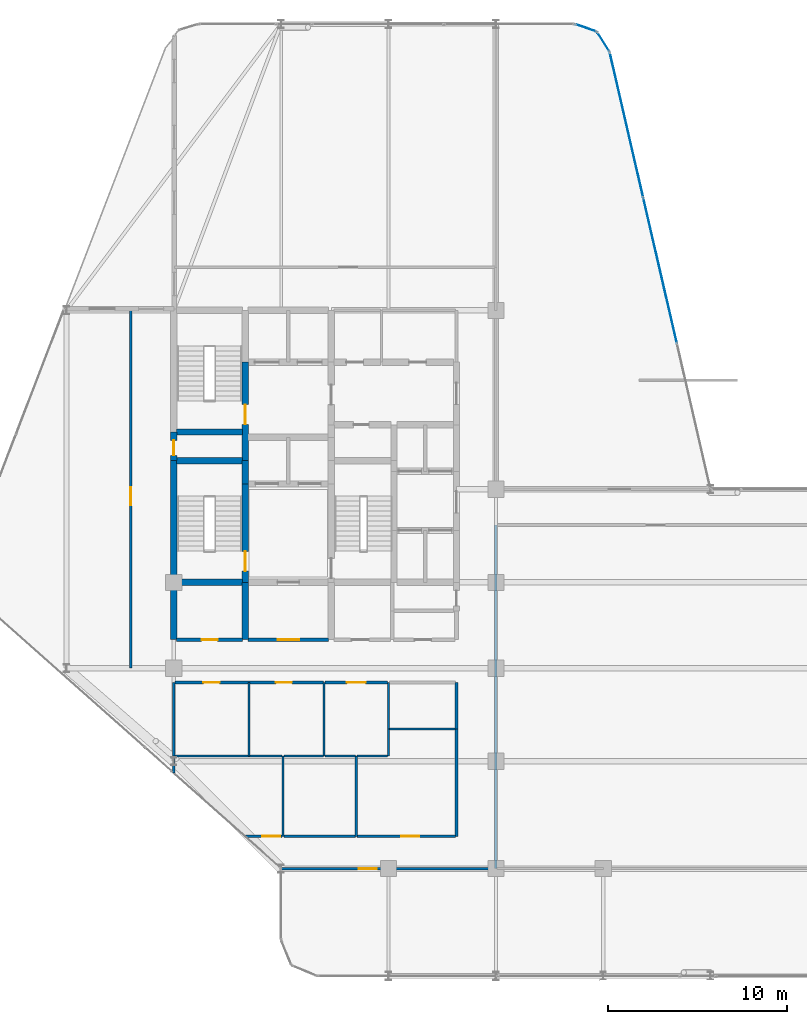
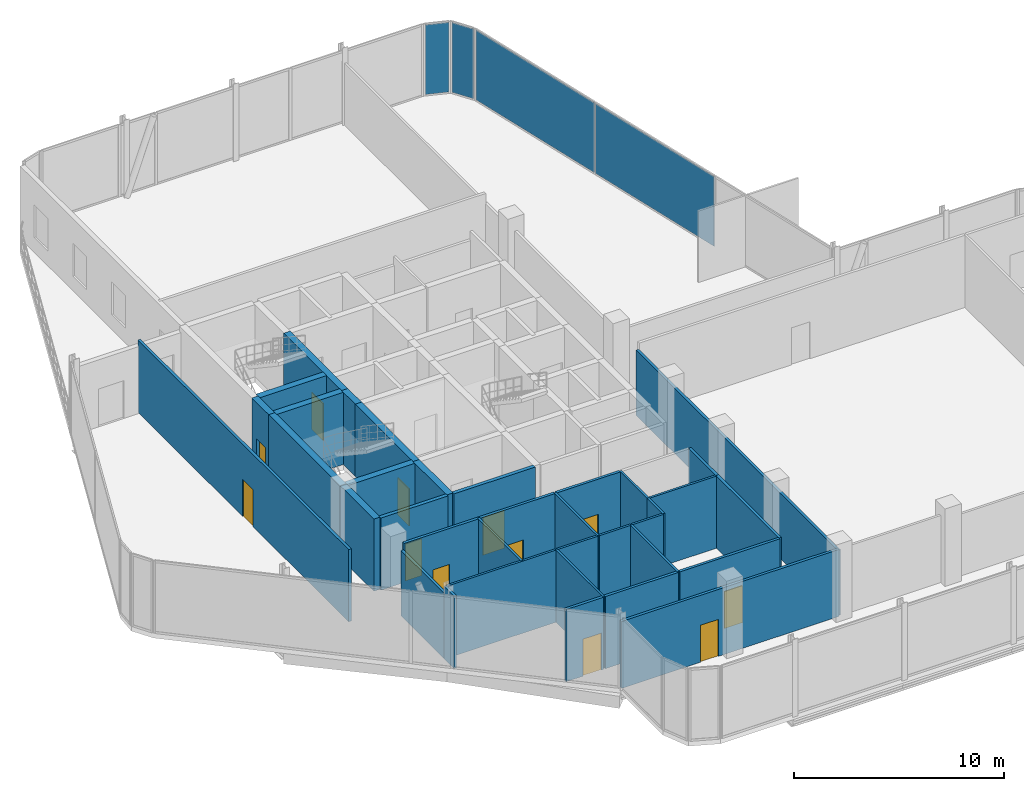
# One storey, part 27 of 31: 35 walls, 12 doors, 4 plates, 12 openings, 3 elements without a shape of their own.
"""IFC4 building model written with IfcOpenShell, lengths in metres."""

from ifc_helpers import new_model, si_unit, direction, frame, frame_2d, origin, origin_2d, place, context, subcontext, project, spatial, rectangle, extrude, material, layer, layer_set, type_object, element, fill, aggregate, save


model = new_model("IFC4")

# Units and contexts
model_context = context("Model", 3, precision=1e-05, world=origin(), true_north=direction((0.0, 1.0)))
body_context = subcontext(model_context, "Body", "Model", "MODEL_VIEW")
ifc_project = project(units=[si_unit("LENGTHUNIT", "METRE"), si_unit("AREAUNIT", "SQUARE_METRE"), si_unit("VOLUMEUNIT", "CUBIC_METRE"), si_unit("PLANEANGLEUNIT", "RADIAN"), si_unit("MASSUNIT", "GRAM", prefix="KILO")], contexts=[model_context])

# Site, building, storey
site_placement = place(None, origin())
site = spatial("IfcSite", under=ifc_project, at=site_placement, CompositionType="ELEMENT")
building_placement = place(site_placement, origin())
building = spatial("IfcBuilding", under=site, at=building_placement, Name="Keshet Zoharim Tower", CompositionType="ELEMENT")
storey_placement = place(building_placement, frame((0.0, 0.0, 183.89990234375)))
storey = spatial("IfcBuildingStorey", under=building, at=storey_placement, Name="L45", CompositionType="ELEMENT", Elevation=183.89990234375)

# Curtain wall, plate
ifc_material_1 = material(Name="Aluminium 6063-T6", Category="aluminium")
ifc_layer_1 = layer(ifc_material_1, 0.139892578125)
ifc_layer_set_1 = layer_set([ifc_layer_1], Name="Aluminium 6063-T6")
curtain_wall_type = type_object("IfcCurtainWallType", Name="CW-SYS-05", PredefinedType="NOTDEFINED", material=ifc_layer_set_1)
curtain_wall_1_placement = place(storey_placement, origin())
curtain_wall_1 = element("IfcCurtainWall", 1, at=curtain_wall_1_placement, inside=storey, type_object=curtain_wall_type, Name="L45 Unitised Curtain Wall 02", PredefinedType="NOTDEFINED")
ifc_material_2 = material(Name="Insulated Low-E Clear Glass", Category="glass")
ifc_layer_2 = layer(ifc_material_2, 0.031982421875)
ifc_layer_set_2 = layer_set([ifc_layer_2], Name="Insulated Low-E Clear Glass")
plate_type = type_object("IfcPlateType", Name="CWP-02", PredefinedType="CURTAIN_PANEL", material=ifc_layer_set_2)
plate_1_placement = place(storey_placement, frame((38.031494140625, 53.6826171875, 0.0703125), z_axis=(0.0, 0.0, 1.0), x_axis=(0.944035542119, -0.329843743636, 0.0)))
plate_1 = element("IfcPlate", 2, at=plate_1_placement, type_object=plate_type, Name="CW-05 panel 1.1", PredefinedType="CURTAIN_PANEL", context=body_context, shape_type="SweptSolid", body=[
    extrude(rectangle(XDim=1.1787109375, YDim=0.031982421875, at=origin_2d()), origin(), (0.0, 0.0, 1.0), 4.050048828125),
])
aggregate(curtain_wall_1, [plate_1])

curtain_wall_2_placement = place(storey_placement, origin())
curtain_wall_2 = element("IfcCurtainWall", 3, at=curtain_wall_2_placement, inside=storey, type_object=curtain_wall_type, Name="L45 Unitised Curtain Wall 03", PredefinedType="NOTDEFINED")
plate_2_placement = place(storey_placement, frame((39.006103515625, 52.907470703125, 0.0703125), z_axis=(0.0, 0.0, 1.0), x_axis=(0.533878858502, -0.845560976183, 0.0)))
plate_2 = element("IfcPlate", 4, at=plate_2_placement, type_object=plate_type, Name="CW-05 panel 1.1", PredefinedType="CURTAIN_PANEL", context=body_context, shape_type="SweptSolid", body=[
    extrude(rectangle(XDim=1.1787109375, YDim=0.031982421875, at=origin_2d()), origin(), (0.0, 0.0, 1.0), 4.050048828125),
])
aggregate(curtain_wall_2, [plate_2])

# Curtain wall, plates
curtain_wall_3_placement = place(storey_placement, origin())
curtain_wall_3 = element("IfcCurtainWall", 5, at=curtain_wall_3_placement, inside=storey, type_object=curtain_wall_type, Name="L45 Unitised Curtain Wall 04", PredefinedType="NOTDEFINED")
plate_3_placement = place(storey_placement, frame((40.30224609375, 48.258056640625, 0.0703125), z_axis=(0.0, 0.0, 1.0), x_axis=(0.224847864369, -0.974393882313, 0.0)))
plate_3 = element("IfcPlate", 6, at=plate_3_placement, type_object=plate_type, Name="CW-05 panel 1.1", PredefinedType="CURTAIN_PANEL", context=body_context, shape_type="SweptSolid", body=[
    extrude(rectangle(XDim=8.25927734375, YDim=0.031982421875, at=origin_2d()), origin(), (0.0, 0.0, 1.0), 4.050048828125),
])
plate_4_placement = place(storey_placement, frame((42.178955078125, 40.125, 0.0703125), z_axis=(0.0, 0.0, 1.0), x_axis=(0.224847864369, -0.974393882313, 0.0)))
plate_4 = element("IfcPlate", 7, at=plate_4_placement, type_object=plate_type, Name="CW-05 panel 2.1", PredefinedType="CURTAIN_PANEL", context=body_context, shape_type="SweptSolid", body=[
    extrude(rectangle(XDim=8.294189453125, YDim=0.031982421875, at=origin_2d()), origin(), (0.0, 0.0, 1.0), 4.050048828125),
])
aggregate(curtain_wall_3, [plate_3, plate_4])

# Wall, opening, door
ifc_material_3 = material(Name="Gypsum Plasterboard", Category="gypsum")
ifc_layer_3 = layer(ifc_material_3, 0.14990234375)
ifc_layer_set_3 = layer_set([ifc_layer_3], Name="Gypsum Plasterboard")
wall_type_1 = type_object("IfcWallType", Name="WL-CLIN-150", PredefinedType="STANDARD", material=ifc_layer_set_3)
wall_1_placement = place(storey_placement, frame((12.60009765625, 17.89990234375, 0.0), z_axis=(0.0, 0.0, 1.0), x_axis=(0.0, 1.0, 0.0)))
wall_1 = element("IfcWall", 8, at=wall_1_placement, inside=storey, type_object=wall_type_1, Name="L45 Interior Wall 001", PredefinedType="STANDARD", context=body_context, shape_type="SweptSolid", body=[
    extrude(rectangle(XDim=20.070068359375, YDim=0.14990234375, at=frame_2d((10.03515625, 0.0))), origin(), (0.0, 0.0, 1.0), 4.190185546875),
])
opening_1_placement = place(wall_1_placement, frame((9.10009765625, 0.0, 0.0)))
opening_1 = element("IfcOpeningElement", 9, at=opening_1_placement, cuts=wall_1, Name="Opening D-F310", PredefinedType="OPENING", context=body_context, shape_type="SweptSolid", body=[
    extrude(rectangle(XDim=1.0, YDim=2.14990234375, at=frame_2d((0.5, 1.074951171875))), frame((0.0, 0.0849609375, 0.0), z_axis=(0.0, -1.0, 0.0), x_axis=(1.0, 0.0, 0.0)), (0.0, 0.0, 1.0), 0.169921875),
])
ifc_material_4 = material(Name="Hardwood Timber", Category="wood")
door_type_1 = type_object("IfcDoorType", Name="DR-FD30-100", OperationType="NOTDEFINED", PredefinedType="DOOR", material=ifc_material_4)
door_1_placement = place(opening_1_placement, origin())
door_1 = element("IfcDoor", 10, at=door_1_placement, inside=storey, type_object=door_type_1, Name="L45 Children Playroom Door", OperationType="SINGLE_SWING_RIGHT", OverallHeight=2.14990234375, OverallWidth=1.0, PredefinedType="DOOR", context=body_context, shape_type="SweptSolid", body=[
    extrude(rectangle(XDim=1.0, YDim=2.14990234375, at=frame_2d((0.5, 1.074951171875))), frame((0.0, 0.02490234375, 0.0), z_axis=(0.0, -1.0, 0.0), x_axis=(1.0, 0.0, 0.0)), (0.0, 0.0, 1.0), 0.050048828125),
])
fill(opening_1, door_1)

# Walls
wall_2_placement = place(storey_placement, frame((15.0, 12.04296875, 0.0), z_axis=(0.0, 0.0, 1.0), x_axis=(0.0, 1.0, 0.0)))
element("IfcWall", 11, at=wall_2_placement, inside=storey, type_object=wall_type_1, Name="L45 Interior Wall 002", PredefinedType="STANDARD", context=body_context, shape_type="SweptSolid", body=[
    extrude(rectangle(XDim=0.95703125, YDim=0.14990234375, at=frame_2d((0.478515625, 0.0))), origin(), (0.0, 0.0, 1.0), 4.190185546875),
])
wall_3_placement = place(storey_placement, frame((15.0, 13.0, 0.0), z_axis=(0.0, 0.0, 1.0), x_axis=(0.0, 1.0, 0.0)))
element("IfcWall", 12, at=wall_3_placement, inside=storey, type_object=wall_type_1, Name="L45 Interior Wall 003", PredefinedType="STANDARD", context=body_context, shape_type="SweptSolid", body=[
    extrude(rectangle(XDim=4.10009765625, YDim=0.14990234375, at=frame_2d((2.050048828125, 0.0))), origin(), (0.0, 0.0, 1.0), 3.7900390625),
])
wall_4_placement = place(storey_placement, frame((30.800048828125, 8.5, 0.0), z_axis=(0.0, 0.0, 1.0), x_axis=(0.0, 1.0, 0.0)))
element("IfcWall", 13, at=wall_4_placement, inside=storey, type_object=wall_type_1, Name="L45 Interior Wall 037", PredefinedType="STANDARD", context=body_context, shape_type="SweptSolid", body=[
    extrude(rectangle(XDim=6.0, YDim=0.14990234375, at=frame_2d((3.0, 0.0))), origin(), (0.0, 0.0, 1.0), 4.190185546875),
])
wall_5_placement = place(storey_placement, frame((30.800048828125, 14.5, 0.0), z_axis=(0.0, 0.0, 1.0), x_axis=(0.0, 1.0, 0.0)))
element("IfcWall", 14, at=wall_5_placement, inside=storey, type_object=wall_type_1, Name="L45 Interior Wall 038", PredefinedType="STANDARD", context=body_context, shape_type="SweptSolid", body=[
    extrude(rectangle(XDim=2.60009765625, YDim=0.14990234375, at=frame_2d((1.300048828125, 0.0))), origin(), (0.0, 0.0, 1.0), 4.190185546875),
])
wall_6_placement = place(storey_placement, frame((33.0, 6.699951171875, 0.0), z_axis=(0.0, 0.0, 1.0), x_axis=(0.0, 1.0, 0.0)))
element("IfcWall", 15, at=wall_6_placement, inside=storey, type_object=wall_type_1, Name="L45 Interior Wall 046", PredefinedType="STANDARD", context=body_context, shape_type="SweptSolid", body=[
    extrude(rectangle(XDim=19.199951171875, YDim=0.14990234375, at=frame_2d((9.60009765625, 0.0))), origin(), (0.0, 0.0, 1.0), 3.7900390625),
])

# Wall, opening, door
wall_7_placement = place(storey_placement, frame((21.010009765625, 6.699951171875, 0.0), z_axis=(0.0, 0.0, 1.0), x_axis=(1.0, 0.0, 0.0)))
wall_7 = element("IfcWall", 16, at=wall_7_placement, inside=storey, type_object=wall_type_1, Name="L45 Interior Wall 050", PredefinedType="STANDARD", context=body_context, shape_type="SweptSolid", body=[
    extrude(rectangle(XDim=11.929931640625, YDim=0.14990234375, at=frame_2d((5.96484375, 0.0))), origin(), (0.0, 0.0, 1.0), 3.89013671875),
])
opening_2_placement = place(wall_7_placement, frame((4.324951171875, 0.0, 0.0)))
opening_2 = element("IfcOpeningElement", 17, at=opening_2_placement, cuts=wall_7, Name="Opening D-F310", PredefinedType="OPENING", context=body_context, shape_type="SweptSolid", body=[
    extrude(rectangle(XDim=1.0, YDim=2.14990234375, at=frame_2d((0.5, 1.074951171875))), frame((0.0, 0.0849609375, 0.0), z_axis=(0.0, -1.0, 0.0), x_axis=(1.0, 0.0, 0.0)), (0.0, 0.0, 1.0), 0.169921875),
])
door_2_placement = place(opening_2_placement, origin())
door_2 = element("IfcDoor", 18, at=door_2_placement, inside=storey, type_object=door_type_1, Name="L45 South Sun Conservatory Door", OperationType="SINGLE_SWING_LEFT", OverallHeight=2.14990234375, OverallWidth=1.0, PredefinedType="DOOR", context=body_context, shape_type="SweptSolid", body=[
    extrude(rectangle(XDim=1.0, YDim=2.14990234375, at=frame_2d((0.5, 1.074951171875))), frame((0.0, 0.02490234375, 0.0), z_axis=(0.0, -1.0, 0.0), x_axis=(1.0, 0.0, 0.0)), (0.0, 0.0, 1.0), 0.050048828125),
])
fill(opening_2, door_2)

wall_8_placement = place(storey_placement, frame((18.985107421875, 8.5, 0.0), z_axis=(0.0, 0.0, 1.0), x_axis=(1.0, 0.0, 0.0)))
wall_8 = element("IfcWall", 19, at=wall_8_placement, inside=storey, type_object=wall_type_1, Name="L45 Interior Wall 053", PredefinedType="STANDARD", context=body_context, shape_type="SweptSolid", body=[
    extrude(rectangle(XDim=2.06982421875, YDim=0.14990234375, at=frame_2d((1.034912109375, 0.0))), origin(), (0.0, 0.0, 1.0), 4.190185546875),
])
opening_3_placement = place(wall_8_placement, frame((0.949951171875, 0.0, 0.0)))
opening_3 = element("IfcOpeningElement", 20, at=opening_3_placement, cuts=wall_8, Name="Opening D-F310", PredefinedType="OPENING", context=body_context, shape_type="SweptSolid", body=[
    extrude(rectangle(XDim=1.0, YDim=2.14990234375, at=frame_2d((0.5, 1.074951171875))), frame((0.0, 0.0849609375, 0.0), z_axis=(0.0, -1.0, 0.0), x_axis=(1.0, 0.0, 0.0)), (0.0, 0.0, 1.0), 0.169921875),
])
door_3_placement = place(opening_3_placement, origin())
door_3 = element("IfcDoor", 21, at=door_3_placement, inside=storey, type_object=door_type_1, Name="L45 Residents Laundry Room Door", OperationType="SINGLE_SWING_RIGHT", OverallHeight=2.14990234375, OverallWidth=1.0, PredefinedType="DOOR", context=body_context, shape_type="SweptSolid", body=[
    extrude(rectangle(XDim=1.0, YDim=2.14990234375, at=frame_2d((0.5, 1.074951171875))), frame((0.0, 0.02490234375, 0.0), z_axis=(0.0, -1.0, 0.0), x_axis=(1.0, 0.0, 0.0)), (0.0, 0.0, 1.0), 0.050048828125),
])
fill(opening_3, door_3)

# Wall
wall_9_placement = place(storey_placement, frame((21.14501953125, 8.5, 0.0), z_axis=(0.0, 0.0, 1.0), x_axis=(1.0, 0.0, 0.0)))
element("IfcWall", 22, at=wall_9_placement, inside=storey, type_object=wall_type_1, Name="L45 Interior Wall 054", PredefinedType="STANDARD", context=body_context, shape_type="SweptSolid", body=[
    extrude(rectangle(XDim=4.010009765625, YDim=0.14990234375, at=frame_2d((2.0048828125, 0.0))), origin(), (0.0, 0.0, 1.0), 4.190185546875),
])

# Wall, opening, door
wall_10_placement = place(storey_placement, frame((25.2451171875, 8.5, 0.0), z_axis=(0.0, 0.0, 1.0), x_axis=(1.0, 0.0, 0.0)))
wall_10 = element("IfcWall", 23, at=wall_10_placement, inside=storey, type_object=wall_type_1, Name="L45 Interior Wall 055", PredefinedType="STANDARD", context=body_context, shape_type="SweptSolid", body=[
    extrude(rectangle(XDim=5.494873046875, YDim=0.14990234375, at=frame_2d((2.74755859375, 0.0))), origin(), (0.0, 0.0, 1.0), 4.190185546875),
])
opening_4_placement = place(wall_10_placement, frame((2.468994140625, 0.0, 0.0)))
opening_4 = element("IfcOpeningElement", 24, at=opening_4_placement, cuts=wall_10, Name="Opening D-F310", PredefinedType="OPENING", context=body_context, shape_type="SweptSolid", body=[
    extrude(rectangle(XDim=1.0, YDim=2.14990234375, at=frame_2d((0.5, 1.074951171875))), frame((0.0, 0.0849609375, 0.0), z_axis=(0.0, -1.0, 0.0), x_axis=(1.0, 0.0, 0.0)), (0.0, 0.0, 1.0), 0.169921875),
])
door_4_placement = place(opening_4_placement, origin())
door_4 = element("IfcDoor", 25, at=door_4_placement, inside=storey, type_object=door_type_1, Name="L45 Shared Residents Kitchen Door", OperationType="SINGLE_SWING_LEFT", OverallHeight=2.14990234375, OverallWidth=1.0, PredefinedType="DOOR", context=body_context, shape_type="SweptSolid", body=[
    extrude(rectangle(XDim=1.0, YDim=2.14990234375, at=frame_2d((0.5, 1.074951171875))), frame((0.0, 0.02490234375, 0.0), z_axis=(0.0, -1.0, 0.0), x_axis=(1.0, 0.0, 0.0)), (0.0, 0.0, 1.0), 0.050048828125),
])
fill(opening_4, door_4)

# Wall, openings, doors
wall_11_placement = place(storey_placement, frame((15.06005859375, 17.10009765625, 0.0), z_axis=(0.0, 0.0, 1.0), x_axis=(1.0, 0.0, 0.0)))
wall_11 = element("IfcWall", 26, at=wall_11_placement, inside=storey, type_object=wall_type_1, Name="L45 Interior Wall 061", PredefinedType="STANDARD", context=body_context, shape_type="SweptSolid", body=[
    extrude(rectangle(XDim=8.294921875, YDim=0.14990234375, at=frame_2d((4.1474609375, 0.0))), origin(), (0.0, 0.0, 1.0), 4.190185546875),
])
opening_5_placement = place(wall_11_placement, frame((1.594970703125, 0.0, 0.0)))
opening_5 = element("IfcOpeningElement", 27, at=opening_5_placement, cuts=wall_11, Name="Opening D-WT90", PredefinedType="OPENING", context=body_context, shape_type="SweptSolid", body=[
    extrude(rectangle(XDim=0.89990234375, YDim=2.10009765625, at=frame_2d((0.449951171875, 1.050048828125))), frame((0.0, 0.0849609375, 0.0), z_axis=(0.0, -1.0, 0.0), x_axis=(1.0, 0.0, 0.0)), (0.0, 0.0, 1.0), 0.169921875),
])
opening_6_placement = place(wall_11_placement, frame((5.64501953125, 0.0, 0.0)))
opening_6 = element("IfcOpeningElement", 28, at=opening_6_placement, cuts=wall_11, Name="Opening D-WT90", PredefinedType="OPENING", context=body_context, shape_type="SweptSolid", body=[
    extrude(rectangle(XDim=0.89990234375, YDim=2.10009765625, at=frame_2d((0.449951171875, 1.050048828125))), frame((0.0, 0.0849609375, 0.0), z_axis=(0.0, -1.0, 0.0), x_axis=(1.0, 0.0, 0.0)), (0.0, 0.0, 1.0), 0.169921875),
])
door_type_2 = type_object("IfcDoorType", Name="DR-WET-090", OperationType="NOTDEFINED", PredefinedType="DOOR", material=ifc_material_4)
door_5_placement = place(opening_5_placement, origin())
door_5 = element("IfcDoor", 29, at=door_5_placement, inside=storey, type_object=door_type_2, Name="L45 Public WCM Door", OperationType="SINGLE_SWING_RIGHT", OverallHeight=2.10009765625, OverallWidth=0.89990234375, PredefinedType="DOOR", context=body_context, shape_type="SweptSolid", body=[
    extrude(rectangle(XDim=0.89990234375, YDim=2.10009765625, at=frame_2d((0.449951171875, 1.050048828125))), frame((0.0, 0.02490234375, 0.0), z_axis=(0.0, -1.0, 0.0), x_axis=(1.0, 0.0, 0.0)), (0.0, 0.0, 1.0), 0.050048828125),
])
fill(opening_5, door_5)
door_6_placement = place(opening_6_placement, origin())
door_6 = element("IfcDoor", 30, at=door_6_placement, inside=storey, type_object=door_type_2, Name="L45 Public WCF Door", OperationType="SINGLE_SWING_LEFT", OverallHeight=2.10009765625, OverallWidth=0.89990234375, PredefinedType="DOOR", context=body_context, shape_type="SweptSolid", body=[
    extrude(rectangle(XDim=0.89990234375, YDim=2.10009765625, at=frame_2d((0.449951171875, 1.050048828125))), frame((0.0, 0.02490234375, 0.0), z_axis=(0.0, -1.0, 0.0), x_axis=(1.0, 0.0, 0.0)), (0.0, 0.0, 1.0), 0.050048828125),
])
fill(opening_6, door_6)

# Wall, opening, door
wall_12_placement = place(storey_placement, frame((23.445068359375, 17.10009765625, 0.0), z_axis=(0.0, 0.0, 1.0), x_axis=(1.0, 0.0, 0.0)))
wall_12 = element("IfcWall", 31, at=wall_12_placement, inside=storey, type_object=wall_type_1, Name="L45 Interior Wall 062", PredefinedType="STANDARD", context=body_context, shape_type="SweptSolid", body=[
    extrude(rectangle(XDim=3.510009765625, YDim=0.14990234375, at=frame_2d((1.7548828125, 0.0))), origin(), (0.0, 0.0, 1.0), 4.190185546875),
])
opening_7_placement = place(wall_12_placement, frame((1.22998046875, 0.0, 0.0)))
opening_7 = element("IfcOpeningElement", 32, at=opening_7_placement, cuts=wall_12, Name="Opening D-AC10", PredefinedType="OPENING", context=body_context, shape_type="SweptSolid", body=[
    extrude(rectangle(XDim=1.050048828125, YDim=2.14990234375, at=frame_2d((0.52490234375, 1.074951171875))), frame((0.0, 0.0849609375, 0.0), z_axis=(0.0, -1.0, 0.0), x_axis=(1.0, 0.0, 0.0)), (0.0, 0.0, 1.0), 0.169921875),
])
door_type_3 = type_object("IfcDoorType", Name="DR-ACC-105", OperationType="NOTDEFINED", PredefinedType="DOOR", material=ifc_material_4)
door_7_placement = place(opening_7_placement, origin())
door_7 = element("IfcDoor", 33, at=door_7_placement, inside=storey, type_object=door_type_3, Name="L45 Public WCA Door", OperationType="SINGLE_SWING_RIGHT", OverallHeight=2.14990234375, OverallWidth=1.050048828125, PredefinedType="DOOR", context=body_context, shape_type="SweptSolid", body=[
    extrude(rectangle(XDim=1.050048828125, YDim=2.14990234375, at=frame_2d((0.52490234375, 1.074951171875))), frame((0.0, 0.02490234375, 0.0), z_axis=(0.0, -1.0, 0.0), x_axis=(1.0, 0.0, 0.0)), (0.0, 0.0, 1.0), 0.050048828125),
])
fill(opening_7, door_7)

# Walls
ifc_material_5 = material(Name="Concrete C60/75", Category="concrete")
ifc_layer_4 = layer(ifc_material_5, 0.35009765625)
ifc_layer_set_4 = layer_set([ifc_layer_4], Name="Concrete C60/75")
wall_type_2 = type_object("IfcWallType", Name="WL-CORE-350", PredefinedType="SHEAR", material=ifc_layer_set_4)
wall_13_placement = place(storey_placement, frame((15.0, 19.5, 0.0), z_axis=(0.0, 0.0, 1.0), x_axis=(0.0, 1.0, 0.0)))
element("IfcWall", 34, at=wall_13_placement, inside=storey, type_object=wall_type_2, Name="L45 Core Shear Wall 004", PredefinedType="SHEAR", context=body_context, shape_type="SweptSolid", body=[
    extrude(rectangle(XDim=3.199951171875, YDim=0.35009765625, at=frame_2d((1.60009765625, 0.0))), origin(), (0.0, 0.0, 1.0), 4.190185546875),
])
wall_14_placement = place(storey_placement, frame((15.0, 22.699951171875, 0.0), z_axis=(0.0, 0.0, 1.0), x_axis=(0.0, 1.0, 0.0)))
element("IfcWall", 35, at=wall_14_placement, inside=storey, type_object=wall_type_2, Name="L45 Core Shear Wall 005", PredefinedType="SHEAR", context=body_context, shape_type="SweptSolid", body=[
    extrude(rectangle(XDim=6.800048828125, YDim=0.35009765625, at=frame_2d((3.39990234375, 0.0))), origin(), (0.0, 0.0, 1.0), 4.190185546875),
])

# Wall, opening, door
wall_15_placement = place(storey_placement, frame((15.0, 29.5, 0.0), z_axis=(0.0, 0.0, 1.0), x_axis=(0.0, 1.0, 0.0)))
wall_15 = element("IfcWall", 36, at=wall_15_placement, inside=storey, type_object=wall_type_2, Name="L45 Core Shear Wall 006", PredefinedType="SHEAR", context=body_context, shape_type="SweptSolid", body=[
    extrude(rectangle(XDim=1.60009765625, YDim=0.35009765625, at=frame_2d((0.800048828125, 0.0))), origin(), (0.0, 0.0, 1.0), 4.190185546875),
])
opening_8_placement = place(wall_15_placement, frame((0.287109375, 0.0, 0.0)))
opening_8 = element("IfcOpeningElement", 37, at=opening_8_placement, cuts=wall_15, Name="Opening D-RS85", PredefinedType="OPENING", context=body_context, shape_type="SweptSolid", body=[
    extrude(rectangle(XDim=0.85009765625, YDim=2.10009765625, at=frame_2d((0.425048828125, 1.050048828125))), frame((0.0, 0.18505859375, 0.0), z_axis=(0.0, -1.0, 0.0), x_axis=(1.0, 0.0, 0.0)), (0.0, 0.0, 1.0), 0.3701171875),
])
door_type_4 = type_object("IfcDoorType", Name="DR-RIS-085", OperationType="NOTDEFINED", PredefinedType="DOOR", material=ifc_material_4)
door_8_placement = place(opening_8_placement, origin())
door_8 = element("IfcDoor", 38, at=door_8_placement, inside=storey, type_object=door_type_4, Name="L45 Electrical Riser Access Cupboard Door", OperationType="SINGLE_SWING_LEFT", OverallHeight=2.10009765625, OverallWidth=0.85009765625, PredefinedType="DOOR", context=body_context, shape_type="SweptSolid", body=[
    extrude(rectangle(XDim=0.85009765625, YDim=2.10009765625, at=frame_2d((0.425048828125, 1.050048828125))), frame((0.0, 0.02490234375, 0.0), z_axis=(0.0, -1.0, 0.0), x_axis=(1.0, 0.0, 0.0)), (0.0, 0.0, 1.0), 0.050048828125),
])
fill(opening_8, door_8)

# Wall
wall_16_placement = place(storey_placement, frame((19.0, 19.5, 0.0), z_axis=(0.0, 0.0, 1.0), x_axis=(0.0, 1.0, 0.0)))
element("IfcWall", 39, at=wall_16_placement, inside=storey, type_object=wall_type_2, Name="L45 Core Shear Wall 008", PredefinedType="SHEAR", context=body_context, shape_type="SweptSolid", body=[
    extrude(rectangle(XDim=3.199951171875, YDim=0.35009765625, at=frame_2d((1.60009765625, 0.0))), origin(), (0.0, 0.0, 1.0), 4.190185546875),
])

# Wall, opening, door
wall_17_placement = place(storey_placement, frame((19.0, 22.699951171875, 0.0), z_axis=(0.0, 0.0, 1.0), x_axis=(0.0, 1.0, 0.0)))
wall_17 = element("IfcWall", 40, at=wall_17_placement, inside=storey, type_object=wall_type_2, Name="L45 Core Shear Wall 009", PredefinedType="SHEAR", context=body_context, shape_type="SweptSolid", body=[
    extrude(rectangle(XDim=5.5, YDim=0.35009765625, at=frame_2d((2.75, 0.0))), origin(), (0.0, 0.0, 1.0), 4.190185546875),
])
opening_9_placement = place(wall_17_placement, frame((0.631103515625, 0.0, 0.0)))
opening_9 = element("IfcOpeningElement", 41, at=opening_9_placement, cuts=wall_17, Name="Opening D-F611", PredefinedType="OPENING", context=body_context, shape_type="SweptSolid", body=[
    extrude(rectangle(XDim=1.10009765625, YDim=2.14990234375, at=frame_2d((0.550048828125, 1.074951171875))), frame((0.0, 0.18505859375, 0.0), z_axis=(0.0, -1.0, 0.0), x_axis=(1.0, 0.0, 0.0)), (0.0, 0.0, 1.0), 0.3701171875),
])
door_type_5 = type_object("IfcDoorType", Name="DR-FD60-110", OperationType="NOTDEFINED", PredefinedType="DOOR", material=ifc_material_4)
door_9_placement = place(opening_9_placement, origin())
door_9 = element("IfcDoor", 42, at=door_9_placement, inside=storey, type_object=door_type_5, Name="L45 Exit Stair ST-01 Fire Door", OperationType="SINGLE_SWING_RIGHT", OverallHeight=2.14990234375, OverallWidth=1.10009765625, PredefinedType="DOOR", context=body_context, shape_type="SweptSolid", body=[
    extrude(rectangle(XDim=1.10009765625, YDim=2.14990234375, at=frame_2d((0.550048828125, 1.074951171875))), frame((0.0, 0.02490234375, 0.0), z_axis=(0.0, -1.0, 0.0), x_axis=(1.0, 0.0, 0.0)), (0.0, 0.0, 1.0), 0.050048828125),
])
fill(opening_9, door_9)

# Wall
wall_18_placement = place(storey_placement, frame((19.0, 28.199951171875, 0.0), z_axis=(0.0, 0.0, 1.0), x_axis=(0.0, 1.0, 0.0)))
element("IfcWall", 43, at=wall_18_placement, inside=storey, type_object=wall_type_2, Name="L45 Core Shear Wall 010", PredefinedType="SHEAR", context=body_context, shape_type="SweptSolid", body=[
    extrude(rectangle(XDim=1.300048828125, YDim=0.35009765625, at=frame_2d((0.64990234375, 0.0))), origin(), (0.0, 0.0, 1.0), 4.190185546875),
])

# Wall, opening, door
wall_19_placement = place(storey_placement, frame((19.0, 29.5, 0.0), z_axis=(0.0, 0.0, 1.0), x_axis=(0.0, 1.0, 0.0)))
wall_19 = element("IfcWall", 44, at=wall_19_placement, inside=storey, type_object=wall_type_2, Name="L45 Core Shear Wall 011", PredefinedType="SHEAR", context=body_context, shape_type="SweptSolid", body=[
    extrude(rectangle(XDim=5.5, YDim=0.35009765625, at=frame_2d((2.75, 0.0))), origin(), (0.0, 0.0, 1.0), 4.190185546875),
])
opening_10_placement = place(wall_19_placement, frame((2.02490234375, 0.0, 0.0)))
opening_10 = element("IfcOpeningElement", 45, at=opening_10_placement, cuts=wall_19, Name="Opening D-F611", PredefinedType="OPENING", context=body_context, shape_type="SweptSolid", body=[
    extrude(rectangle(XDim=1.10009765625, YDim=2.14990234375, at=frame_2d((0.550048828125, 1.074951171875))), frame((0.0, 0.18505859375, 0.0), z_axis=(0.0, -1.0, 0.0), x_axis=(1.0, 0.0, 0.0)), (0.0, 0.0, 1.0), 0.3701171875),
])
door_10_placement = place(opening_10_placement, origin())
door_10 = element("IfcDoor", 46, at=door_10_placement, inside=storey, type_object=door_type_5, Name="L45 Exit Stair ST-02 Fire Door", OperationType="SINGLE_SWING_LEFT", OverallHeight=2.14990234375, OverallWidth=1.10009765625, PredefinedType="DOOR", context=body_context, shape_type="SweptSolid", body=[
    extrude(rectangle(XDim=1.10009765625, YDim=2.14990234375, at=frame_2d((0.550048828125, 1.074951171875))), frame((0.0, 0.02490234375, 0.0), z_axis=(0.0, -1.0, 0.0), x_axis=(1.0, 0.0, 0.0)), (0.0, 0.0, 1.0), 0.050048828125),
])
fill(opening_10, door_10)

# Walls
for number, where, z_axis, x_axis, name in (
    (47, (15.159912109375, 22.699951171875, 0.0), (0.0, 0.0, 1.0), (1.0, 0.0, 0.0), "L45 Core Shear Wall 069"),
    (48, (15.159912109375, 29.5, 0.0), (0.0, 0.0, 1.0), (1.0, 0.0, 0.0), "L45 Core Shear Wall 079"),
    (49, (15.159912109375, 31.10009765625, 0.0), (0.0, 0.0, 1.0), (1.0, 0.0, 0.0), "L45 Core Shear Wall 082"),
):
    element("IfcWall", number, at=place(storey_placement, frame(where, z_axis=z_axis, x_axis=x_axis)), inside=storey, type_object=wall_type_2, Name=name, PredefinedType="SHEAR", context=body_context, shape_type="SweptSolid", body=[
        extrude(rectangle(XDim=3.68017578125, YDim=0.35009765625, at=frame_2d((1.840087890625, 0.0))), origin(), (0.0, 0.0, 1.0), 4.190185546875),
    ])

# Wall, opening, door
ifc_material_6 = material(Name="Concrete C50/60", Category="concrete")
ifc_layer_5 = layer(ifc_material_6, 0.199951171875)
ifc_layer_set_5 = layer_set([ifc_layer_5], Name="Concrete C50/60")
wall_type_3 = type_object("IfcWallType", Name="WL-FIRE-200", PredefinedType="STANDARD", material=ifc_layer_set_5)
wall_20_placement = place(storey_placement, frame((15.159912109375, 19.5, 0.0), z_axis=(0.0, 0.0, 1.0), x_axis=(1.0, 0.0, 0.0)))
wall_20 = element("IfcWall", 50, at=wall_20_placement, inside=storey, type_object=wall_type_3, Name="L45 Interior Wall 064", PredefinedType="STANDARD", context=body_context, shape_type="SweptSolid", body=[
    extrude(rectangle(XDim=3.68017578125, YDim=0.199951171875, at=frame_2d((1.840087890625, 0.0))), origin(), (0.0, 0.0, 1.0), 4.190185546875),
])
opening_11_placement = place(wall_20_placement, frame((1.389892578125, 0.0, 0.0)))
opening_11 = element("IfcOpeningElement", 51, at=opening_11_placement, cuts=wall_20, Name="Opening D-F690", PredefinedType="OPENING", context=body_context, shape_type="SweptSolid", body=[
    extrude(rectangle(XDim=0.89990234375, YDim=2.14990234375, at=frame_2d((0.449951171875, 1.074951171875))), frame((0.0, 0.10986328125, 0.0), z_axis=(0.0, -1.0, 0.0), x_axis=(1.0, 0.0, 0.0)), (0.0, 0.0, 1.0), 0.219970703125),
])
door_type_6 = type_object("IfcDoorType", Name="DR-FD60-090", OperationType="NOTDEFINED", PredefinedType="DOOR", material=ifc_material_4)
door_11_placement = place(opening_11_placement, origin())
door_11 = element("IfcDoor", 52, at=door_11_placement, inside=storey, type_object=door_type_6, Name="L45 Refuse Store Door", OperationType="SINGLE_SWING_LEFT", OverallHeight=2.14990234375, OverallWidth=0.89990234375, PredefinedType="DOOR", context=body_context, shape_type="SweptSolid", body=[
    extrude(rectangle(XDim=0.89990234375, YDim=2.14990234375, at=frame_2d((0.449951171875, 1.074951171875))), frame((0.0, 0.02490234375, 0.0), z_axis=(0.0, -1.0, 0.0), x_axis=(1.0, 0.0, 0.0)), (0.0, 0.0, 1.0), 0.050048828125),
])
fill(opening_11, door_11)

wall_21_placement = place(storey_placement, frame((19.159912109375, 19.5, 0.0), z_axis=(0.0, 0.0, 1.0), x_axis=(1.0, 0.0, 0.0)))
wall_21 = element("IfcWall", 53, at=wall_21_placement, inside=storey, type_object=wall_type_3, Name="L45 Interior Wall 065", PredefinedType="STANDARD", context=body_context, shape_type="SweptSolid", body=[
    extrude(rectangle(XDim=4.47998046875, YDim=0.199951171875, at=frame_2d((2.239990234375, 0.0))), origin(), (0.0, 0.0, 1.0), 4.190185546875),
])
opening_12_placement = place(wall_21_placement, frame((1.639892578125, 0.0, 0.0)))
opening_12 = element("IfcOpeningElement", 54, at=opening_12_placement, cuts=wall_21, Name="Opening D-F612", PredefinedType="OPENING", context=body_context, shape_type="SweptSolid", body=[
    extrude(rectangle(XDim=1.199951171875, YDim=2.199951171875, at=frame_2d((0.60009765625, 1.10009765625))), frame((0.0, 0.10986328125, 0.0), z_axis=(0.0, -1.0, 0.0), x_axis=(1.0, 0.0, 0.0)), (0.0, 0.0, 1.0), 0.219970703125),
])
door_type_7 = type_object("IfcDoorType", Name="DR-FD60-120", OperationType="NOTDEFINED", PredefinedType="DOOR", material=ifc_material_4)
door_12_placement = place(opening_12_placement, origin())
door_12 = element("IfcDoor", 55, at=door_12_placement, inside=storey, type_object=door_type_7, Name="L45 South Vestibule Corridor Door", OperationType="SINGLE_SWING_RIGHT", OverallHeight=2.199951171875, OverallWidth=1.199951171875, PredefinedType="DOOR", context=body_context, shape_type="SweptSolid", body=[
    extrude(rectangle(XDim=1.199951171875, YDim=2.199951171875, at=frame_2d((0.60009765625, 1.10009765625))), frame((0.0, 0.02490234375, 0.0), z_axis=(0.0, -1.0, 0.0), x_axis=(1.0, 0.0, 0.0)), (0.0, 0.0, 1.0), 0.050048828125),
])
fill(opening_12, door_12)

# Walls
ifc_layer_6 = layer(ifc_material_3, 0.1201171875)
ifc_layer_set_6 = layer_set([ifc_layer_6], Name="Gypsum Plasterboard")
wall_type_4 = type_object("IfcWallType", Name="WL-PART-120", PredefinedType="PARTITIONING", material=ifc_layer_set_6)
for number, where, z_axis, x_axis, name in (
    (56, (21.10009765625, 8.5, 0.0), (0.0, 0.0, 1.0), (0.0, 1.0, 0.0), "L45 Interior Wall 014"),
    (57, (25.199951171875, 8.5, 0.0), (0.0, 0.0, 1.0), (0.0, 1.0, 0.0), "L45 Interior Wall 025"),
):
    element("IfcWall", number, at=place(storey_placement, frame(where, z_axis=z_axis, x_axis=x_axis)), inside=storey, type_object=wall_type_4, Name=name, PredefinedType="PARTITIONING", context=body_context, shape_type="SweptSolid", body=[
        extrude(rectangle(XDim=4.5, YDim=0.1201171875, at=frame_2d((2.25, 0.0))), origin(), (0.0, 0.0, 1.0), 4.190185546875),
    ])
wall_22_placement = place(storey_placement, frame((27.044921875, 14.5, 0.0), z_axis=(0.0, 0.0, 1.0), x_axis=(1.0, 0.0, 0.0)))
element("IfcWall", 58, at=wall_22_placement, inside=storey, type_object=wall_type_4, Name="L45 Interior Wall 060", PredefinedType="PARTITIONING", context=body_context, shape_type="SweptSolid", body=[
    extrude(rectangle(XDim=3.695068359375, YDim=0.1201171875, at=frame_2d((1.84765625, 0.0))), origin(), (0.0, 0.0, 1.0), 4.190185546875),
])
ifc_layer_7 = layer(ifc_material_3, 0.1201171875)
ifc_layer_set_7 = layer_set([ifc_layer_7], Name="Gypsum Plasterboard")
wall_type_5 = type_object("IfcWallType", Name="WL-WET-120", PredefinedType="PARTITIONING", material=ifc_layer_set_7)
for number, where, z_axis, x_axis, name in (
    (59, (19.199951171875, 13.0, 0.0), (0.0, 0.0, 1.0), (0.0, 1.0, 0.0), "L45 Interior Wall 013"),
    (60, (23.39990234375, 13.0, 0.0), (0.0, 0.0, 1.0), (0.0, 1.0, 0.0), "L45 Interior Wall 017"),
):
    element("IfcWall", number, at=place(storey_placement, frame(where, z_axis=z_axis, x_axis=x_axis)), inside=storey, type_object=wall_type_5, Name=name, PredefinedType="PARTITIONING", context=body_context, shape_type="SweptSolid", body=[
        extrude(rectangle(XDim=4.10009765625, YDim=0.1201171875, at=frame_2d((2.050048828125, 0.0))), origin(), (0.0, 0.0, 1.0), 4.190185546875),
    ])
wall_23_placement = place(storey_placement, frame((27.0, 13.0, 0.0), z_axis=(0.0, 0.0, 1.0), x_axis=(0.0, 1.0, 0.0)))
element("IfcWall", 61, at=wall_23_placement, inside=storey, type_object=wall_type_5, Name="L45 Interior Wall 027", PredefinedType="PARTITIONING", context=body_context, shape_type="SweptSolid", body=[
    extrude(rectangle(XDim=1.5, YDim=0.1201171875, at=frame_2d((0.75, 0.0))), origin(), (0.0, 0.0, 1.0), 4.190185546875),
])
wall_24_placement = place(storey_placement, frame((27.0, 14.5, 0.0), z_axis=(0.0, 0.0, 1.0), x_axis=(0.0, 1.0, 0.0)))
element("IfcWall", 62, at=wall_24_placement, inside=storey, type_object=wall_type_5, Name="L45 Interior Wall 028", PredefinedType="PARTITIONING", context=body_context, shape_type="SweptSolid", body=[
    extrude(rectangle(XDim=2.60009765625, YDim=0.1201171875, at=frame_2d((1.300048828125, 0.0))), origin(), (0.0, 0.0, 1.0), 4.190185546875),
])
wall_25_placement = place(storey_placement, frame((15.06005859375, 13.0, 0.0), z_axis=(0.0, 0.0, 1.0), x_axis=(1.0, 0.0, 0.0)))
element("IfcWall", 63, at=wall_25_placement, inside=storey, type_object=wall_type_5, Name="L45 Interior Wall 056", PredefinedType="PARTITIONING", context=body_context, shape_type="SweptSolid", body=[
    extrude(rectangle(XDim=5.994873046875, YDim=0.1201171875, at=frame_2d((2.99755859375, 0.0))), origin(), (0.0, 0.0, 1.0), 4.190185546875),
])
wall_26_placement = place(storey_placement, frame((21.14501953125, 13.0, 0.0), z_axis=(0.0, 0.0, 1.0), x_axis=(1.0, 0.0, 0.0)))
element("IfcWall", 64, at=wall_26_placement, inside=storey, type_object=wall_type_5, Name="L45 Interior Wall 057", PredefinedType="PARTITIONING", context=body_context, shape_type="SweptSolid", body=[
    extrude(rectangle(XDim=2.2099609375, YDim=0.1201171875, at=frame_2d((1.10498046875, 0.0))), origin(), (0.0, 0.0, 1.0), 4.190185546875),
])
for number, where, z_axis, x_axis, name in (
    (65, (23.445068359375, 13.0, 0.0), (0.0, 0.0, 1.0), (1.0, 0.0, 0.0), "L45 Interior Wall 058"),
    (66, (25.2451171875, 13.0, 0.0), (0.0, 0.0, 1.0), (1.0, 0.0, 0.0), "L45 Interior Wall 059"),
):
    element("IfcWall", number, at=place(storey_placement, frame(where, z_axis=z_axis, x_axis=x_axis)), inside=storey, type_object=wall_type_5, Name=name, PredefinedType="PARTITIONING", context=body_context, shape_type="SweptSolid", body=[
        extrude(rectangle(XDim=1.7099609375, YDim=0.1201171875, at=frame_2d((0.85498046875, 0.0))), origin(), (0.0, 0.0, 1.0), 4.190185546875),
    ])

save(model, "model.ifc")
